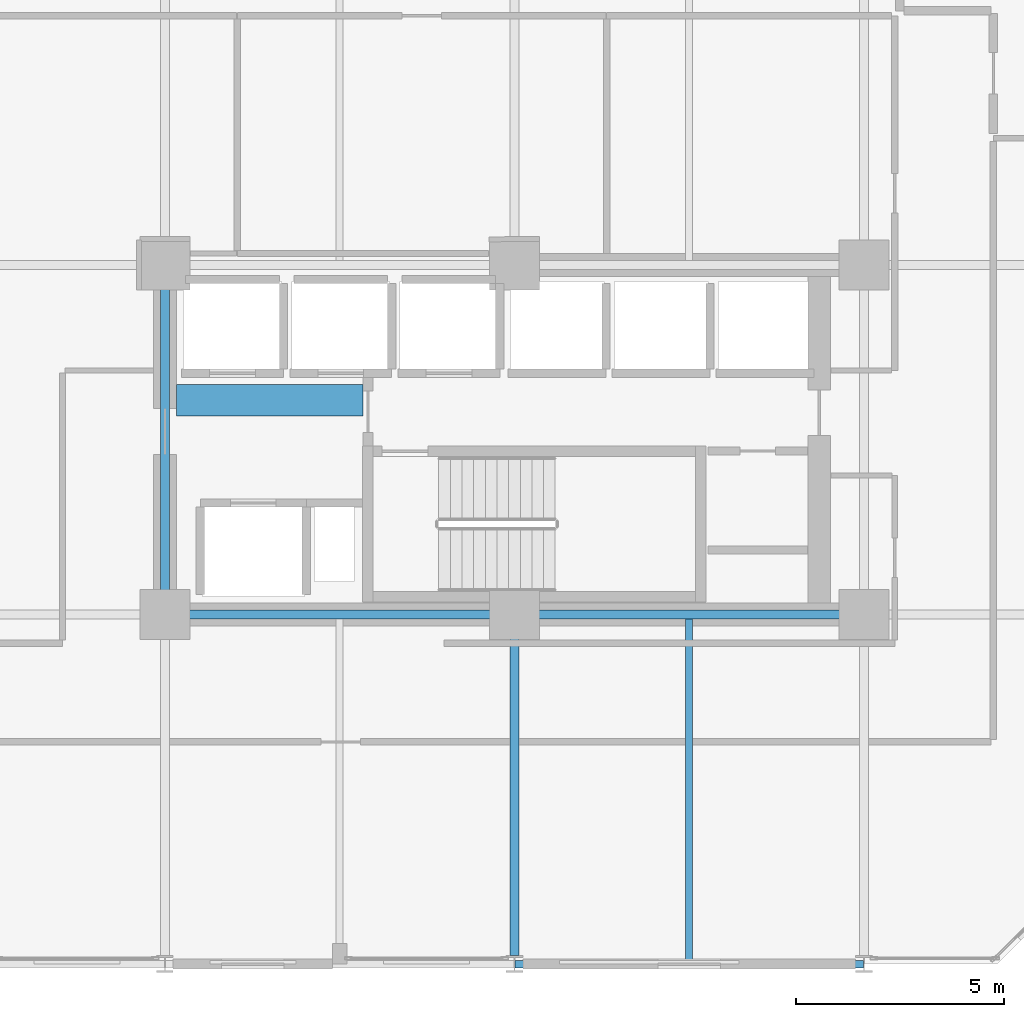
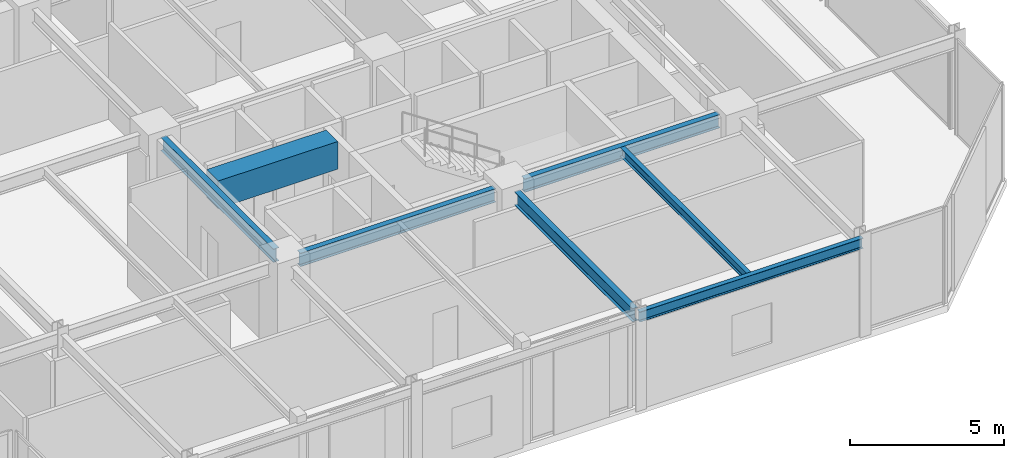
# One storey, part 7 of 29: 7 beams.
"""IFC4 building model written with IfcOpenShell, lengths in metres."""

from ifc_helpers import new_model, si_unit, direction, frame, origin, origin_2d, place, context, subcontext, project, spatial, rectangle, i_section, extrude, material, material_profile, profile_set, type_object, element, save


model = new_model("IFC4")

# Units and contexts
model_context = context("Model", 3, precision=1e-05, world=origin(), true_north=direction((0.0, 1.0)))
body_context = subcontext(model_context, "Body", "Model", "MODEL_VIEW")
ifc_project = project(units=[si_unit("LENGTHUNIT", "METRE"), si_unit("AREAUNIT", "SQUARE_METRE"), si_unit("VOLUMEUNIT", "CUBIC_METRE"), si_unit("PLANEANGLEUNIT", "RADIAN"), si_unit("MASSUNIT", "GRAM", prefix="KILO")], contexts=[model_context])

# Site, building, storey
site_placement = place(None, origin())
site = spatial("IfcSite", under=ifc_project, at=site_placement, CompositionType="ELEMENT")
building_placement = place(site_placement, origin())
building = spatial("IfcBuilding", under=site, at=building_placement, Name="Nerrivon Quay Data Exchange", CompositionType="ELEMENT")
storey_placement = place(building_placement, frame((0.0, 0.0, 150.0)))
storey = spatial("IfcBuildingStorey", under=building, at=storey_placement, Name="L35", CompositionType="ELEMENT", Elevation=150.0)

# Beams
ifc_material_1 = material(Name="Concrete S65 (65 MPa)", Category="concrete")
ifc_material_profile_1 = material_profile(ifc_material_1, rectangle(XDim=0.75, YDim=1.10009765625, at=origin_2d()), Name="RC-CB-750x1100")
ifc_profile_set_1 = profile_set([ifc_material_profile_1], Name="Concrete S65 (65 MPa)")
beam_type_1 = type_object("IfcBeamType", Name="BM-CB1-750x1100", PredefinedType="LINTEL", material=ifc_profile_set_1)
beam_1_placement = place(storey_placement, frame((17.074951171875, 13.550048828125, 3.27490234375), z_axis=(1.0, 0.0, 0.0), x_axis=(0.0, 1.0, 0.0)))
element("IfcBeam", 1, at=beam_1_placement, inside=storey, type_object=beam_type_1, Name="L35 East Core Coupling Beam", PredefinedType="LINTEL", context=body_context, shape_type="SweptSolid", body=[
    extrude(rectangle(XDim=0.75, YDim=1.10009765625, at=origin_2d()), origin(), (0.0, 0.0, 1.0), 4.47998046875),
])
ifc_material_2 = material(Name="Steel Grade 350", Category="steel")
ifc_material_profile_2 = material_profile(ifc_material_2, i_section(OverallWidth=0.208984375, OverallDepth=0.532958984375, WebThickness=0.01025390625, FlangeThickness=0.015625, FilletRadius=0.013916015625, at=origin_2d()), Name="530UB92.4")
ifc_profile_set_2 = profile_set([ifc_material_profile_2], Name="Steel Grade 350")
beam_type_2 = type_object("IfcBeamType", Name="BM-G3-530UB92", PredefinedType="BEAM", material=ifc_profile_set_2)
beam_2_placement = place(storey_placement, frame((17.340087890625, 8.39990234375, 3.55859375), z_axis=(1.0, 0.0, 0.0), x_axis=(0.0, 1.0, 0.0)))
element("IfcBeam", 2, at=beam_2_placement, inside=storey, type_object=beam_type_2, Name="L35 EW Girder Y=8.4 (16.8..25.2)", PredefinedType="BEAM", context=body_context, shape_type="SweptSolid", body=[
    extrude(i_section(OverallWidth=0.208984375, OverallDepth=0.532958984375, WebThickness=0.01025390625, FlangeThickness=0.015625, FilletRadius=0.013916015625, at=origin_2d()), origin(), (0.0, 0.0, 1.0), 7.31982421875),
])
beam_3_placement = place(storey_placement, frame((25.739990234375, 8.39990234375, 3.55859375), z_axis=(1.0, 0.0, 0.0), x_axis=(0.0, 1.0, 0.0)))
element("IfcBeam", 3, at=beam_3_placement, inside=storey, type_object=beam_type_2, Name="L35 EW Girder Y=8.4 (25.2..33.6)", PredefinedType="BEAM", context=body_context, shape_type="SweptSolid", body=[
    extrude(i_section(OverallWidth=0.208984375, OverallDepth=0.532958984375, WebThickness=0.01025390625, FlangeThickness=0.015625, FilletRadius=0.013916015625, at=origin_2d()), origin(), (0.0, 0.0, 1.0), 7.320068359375),
])
ifc_material_profile_3 = material_profile(ifc_material_2, i_section(OverallWidth=0.208984375, OverallDepth=0.528076171875, WebThickness=0.009521484375, FlangeThickness=0.01318359375, FilletRadius=0.013916015625, at=origin_2d()), Name="530UB82.0")
ifc_profile_set_3 = profile_set([ifc_material_profile_3], Name="Steel Grade 350")
beam_type_3 = type_object("IfcBeamType", Name="BM-G4-530UB82", PredefinedType="BEAM", material=ifc_profile_set_3)
beam_4_placement = place(storey_placement, frame((16.800048828125, 8.93994140625, 3.56103515625), z_axis=(0.0, 1.0, 0.0), x_axis=(-1.0, 0.0, 0.0)))
element("IfcBeam", 4, at=beam_4_placement, inside=storey, type_object=beam_type_3, Name="L35 NS Girder X=16.8 (8.4..16.8)", PredefinedType="BEAM", context=body_context, shape_type="SweptSolid", body=[
    extrude(i_section(OverallWidth=0.208984375, OverallDepth=0.528076171875, WebThickness=0.009521484375, FlangeThickness=0.01318359375, FilletRadius=0.013916015625, at=origin_2d()), origin(), (0.0, 0.0, 1.0), 7.320068359375),
])
beam_5_placement = place(storey_placement, frame((25.199951171875, 0.199951171875, 3.56103515625), z_axis=(0.0, 1.0, 0.0), x_axis=(-1.0, 0.0, 0.0)))
element("IfcBeam", 5, at=beam_5_placement, inside=storey, type_object=beam_type_3, Name="L35 NS Girder X=25.2 (0.0..8.4)", PredefinedType="BEAM", context=body_context, shape_type="SweptSolid", body=[
    extrude(i_section(OverallWidth=0.208984375, OverallDepth=0.528076171875, WebThickness=0.009521484375, FlangeThickness=0.01318359375, FilletRadius=0.013916015625, at=origin_2d()), origin(), (0.0, 0.0, 1.0), 7.66015625),
])
ifc_material_profile_4 = material_profile(ifc_material_2, i_section(OverallWidth=0.1708984375, OverallDepth=0.35595703125, WebThickness=0.00732421875, FlangeThickness=0.011474609375, FilletRadius=0.011474609375, at=origin_2d()), Name="360UB50.7")
ifc_profile_set_4 = profile_set([ifc_material_profile_4], Name="Steel Grade 350")
beam_type_4 = type_object("IfcBeamType", Name="BM-J4-360UB51", PredefinedType="JOIST", material=ifc_profile_set_4)
beam_6_placement = place(storey_placement, frame((29.39990234375, 0.089111328125, 3.64697265625), z_axis=(0.0, 1.0, 0.0), x_axis=(-1.0, 0.0, 0.0)))
element("IfcBeam", 6, at=beam_6_placement, inside=storey, type_object=beam_type_4, Name="L35 Secondary Joist X=29.4 (0.0..8.4)", PredefinedType="JOIST", context=body_context, shape_type="SweptSolid", body=[
    extrude(i_section(OverallWidth=0.1708984375, OverallDepth=0.35595703125, WebThickness=0.00732421875, FlangeThickness=0.011474609375, FilletRadius=0.011474609375, at=origin_2d()), origin(), (0.0, 0.0, 1.0), 8.206298828125),
])
ifc_material_profile_5 = material_profile(ifc_material_2, i_section(OverallWidth=0.177978515625, OverallDepth=0.403076171875, WebThickness=0.007568359375, FlangeThickness=0.010986328125, FilletRadius=0.011474609375, at=origin_2d()), Name="410UB53.7")
ifc_profile_set_5 = profile_set([ifc_material_profile_5], Name="Steel Grade 350")
beam_type_5 = type_object("IfcBeamType", Name="BM-SP2-410UB54", PredefinedType="SPANDREL", material=ifc_profile_set_5)
beam_7_placement = place(storey_placement, frame((25.21240234375, 0.0, 3.62353515625), z_axis=(1.0, 0.0, 0.0), x_axis=(0.0, 1.0, 0.0)))
element("IfcBeam", 7, at=beam_7_placement, inside=storey, type_object=beam_type_5, Name="L35 EW Girder Y=0.0 (25.2..33.6)", PredefinedType="SPANDREL", context=body_context, shape_type="SweptSolid", body=[
    extrude(i_section(OverallWidth=0.177978515625, OverallDepth=0.403076171875, WebThickness=0.007568359375, FlangeThickness=0.010986328125, FilletRadius=0.011474609375, at=origin_2d()), origin(), (0.0, 0.0, 1.0), 8.375),
])

save(model, "model.ifc")
